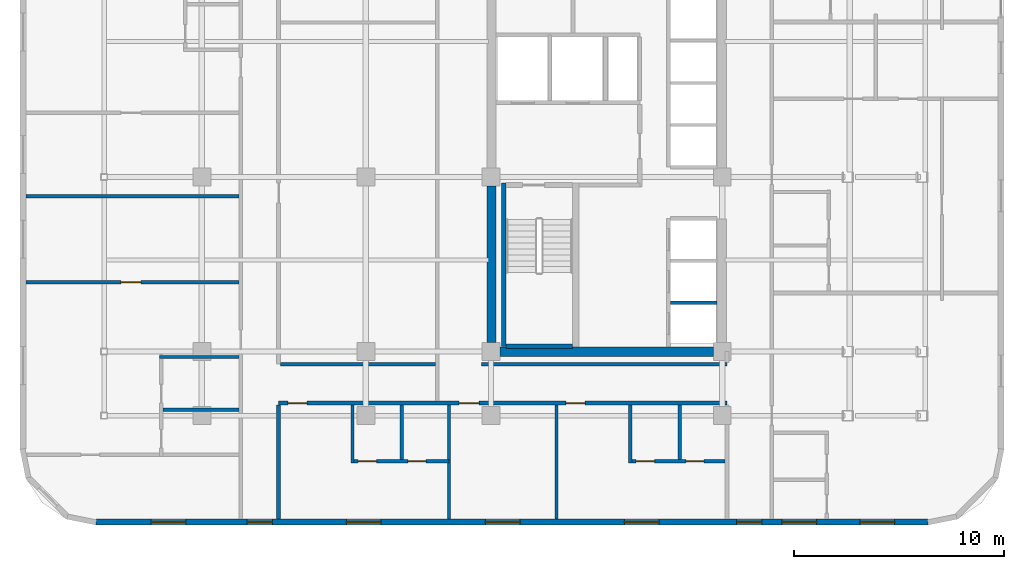
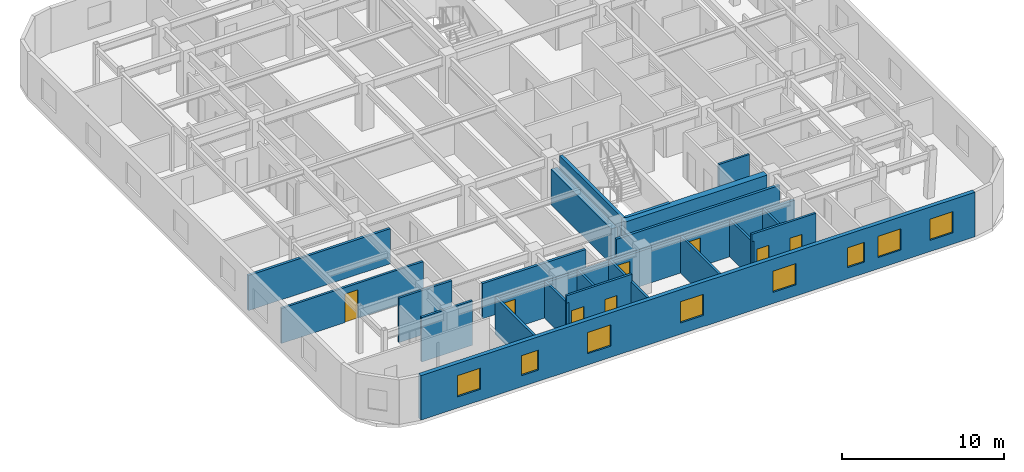
# One storey, part 7 of 13: 22 walls, 8 doors, 8 windows, 16 openings.
"""IFC4 building model written with IfcOpenShell, lengths in metres."""

from ifc_helpers import new_model, si_unit, direction, frame, frame_2d, origin, place, context, subcontext, project, spatial, rectangle, extrude, material, layer, layer_set, type_object, element, fill, save


model = new_model("IFC4")

# Units and contexts
model_context = context("Model", 3, precision=1e-05, world=origin(), true_north=direction((0.0, 1.0)))
body_context = subcontext(model_context, "Body", "Model", "MODEL_VIEW")
ifc_project = project(units=[si_unit("LENGTHUNIT", "METRE"), si_unit("AREAUNIT", "SQUARE_METRE"), si_unit("VOLUMEUNIT", "CUBIC_METRE"), si_unit("PLANEANGLEUNIT", "RADIAN"), si_unit("MASSUNIT", "GRAM", prefix="KILO")], contexts=[model_context])

# Site, building, storey
site_placement = place(None, origin())
site = spatial("IfcSite", under=ifc_project, at=site_placement, CompositionType="ELEMENT")
building_placement = place(site_placement, origin())
building = spatial("IfcBuilding", under=site, at=building_placement, Name="Ochreholt Gables", CompositionType="ELEMENT")
storey_placement = place(building_placement, frame((0.0, 0.0, 34.800048828125)))
storey = spatial("IfcBuildingStorey", under=building, at=storey_placement, Name="L08", CompositionType="ELEMENT", Elevation=34.800048828125)

# Walls
ifc_material_1 = material(Name="Concrete 60 MPa", Category="concrete")
ifc_layer_1 = layer(ifc_material_1, 0.449951171875, Name="Concrete 60 MPa")
ifc_layer_set_1 = layer_set([ifc_layer_1], Name="Concrete 60 MPa")
wall_type_1 = type_object("IfcWallType", Name="WALL-CSW-450", PredefinedType="SHEAR", material=ifc_layer_set_1)
wall_1_placement = place(storey_placement, frame((24.22509765625, 9.675048828125, 0.0), z_axis=(0.0, 0.0, 1.0), x_axis=(0.0, 1.0, 0.0)))
element("IfcWall", 1, at=wall_1_placement, inside=storey, type_object=wall_type_1, Name="L08 Core West Shear Wall WS", PredefinedType="SHEAR", context=body_context, shape_type="SweptSolid", body=[
    extrude(rectangle(XDim=7.449951171875, YDim=0.449951171875, at=frame_2d((3.72509765625, 0.0))), origin(), (0.0, 0.0, 1.0), 2.6669921875),
])
wall_2_placement = place(storey_placement, frame((24.625, 9.25, 0.0), z_axis=(0.0, 0.0, 1.0), x_axis=(1.0, 0.0, 0.0)))
element("IfcWall", 2, at=wall_2_placement, inside=storey, type_object=wall_type_1, Name="L08 Core South Shear Wall", PredefinedType="SHEAR", context=body_context, shape_type="SweptSolid", body=[
    extrude(rectangle(XDim=10.14990234375, YDim=0.449951171875, at=frame_2d((5.074951171875, 0.0))), origin(), (0.0, 0.0, 1.0), 3.35986328125),
])

# Wall, openings, windows
ifc_material_2 = material(Name="Precast concrete 40 MPa", Category="concrete")
ifc_layer_2 = layer(ifc_material_2, 0.2900390625, Name="Precast concrete 40 MPa")
ifc_layer_set_2 = layer_set([ifc_layer_2], Name="Precast concrete 40 MPa")
wall_type_2 = type_object("IfcWallType", Name="WALL-EXT-290", PredefinedType="SOLIDWALL", material=ifc_layer_set_2)
wall_3_placement = place(storey_placement, frame((5.419921875, 1.14501953125, 0.0), z_axis=(0.0, 0.0, 1.0), x_axis=(1.0, 0.0, 0.0)))
wall_3 = element("IfcWall", 3, at=wall_3_placement, inside=storey, type_object=wall_type_2, Name="L08 South Exterior Wall", PredefinedType="SOLIDWALL", context=body_context, shape_type="SweptSolid", body=[
    extrude(rectangle(XDim=39.56005859375, YDim=0.2900390625, at=frame_2d((19.780029296875, 0.0))), origin(), (0.0, 0.0, 1.0), 3.35986328125),
])
opening_1_placement = place(wall_3_placement, frame((2.614990234375, 0.0, 0.85009765625)))
opening_1 = element("IfcOpeningElement", 4, at=opening_1_placement, cuts=wall_3, Name="Opening WN-7", PredefinedType="OPENING", context=body_context, shape_type="SweptSolid", body=[
    extrude(rectangle(XDim=1.64990234375, YDim=1.60009765625, at=frame_2d((0.824951171875, 0.800048828125))), frame((0.0, 0.155029296875, 0.0), z_axis=(0.0, -1.0, 0.0), x_axis=(1.0, 0.0, 0.0)), (0.0, 0.0, 1.0), 0.31005859375),
])
opening_2_placement = place(wall_3_placement, frame((7.179931640625, 0.0, 0.85009765625)))
opening_2 = element("IfcOpeningElement", 5, at=opening_2_placement, cuts=wall_3, Name="Opening WN-3", PredefinedType="OPENING", context=body_context, shape_type="SweptSolid", body=[
    extrude(rectangle(XDim=1.199951171875, YDim=1.5, at=frame_2d((0.60009765625, 0.75))), frame((0.0, 0.155029296875, 0.0), z_axis=(0.0, -1.0, 0.0), x_axis=(1.0, 0.0, 0.0)), (0.0, 0.0, 1.0), 0.31005859375),
])
opening_3_placement = place(wall_3_placement, frame((11.90576171875, 0.0, 0.85009765625)))
opening_3 = element("IfcOpeningElement", 6, at=opening_3_placement, cuts=wall_3, Name="Opening WN-7", PredefinedType="OPENING", context=body_context, shape_type="SweptSolid", body=[
    extrude(rectangle(XDim=1.64990234375, YDim=1.60009765625, at=frame_2d((0.824951171875, 0.800048828125))), frame((0.0, 0.155029296875, 0.0), z_axis=(0.0, -1.0, 0.0), x_axis=(1.0, 0.0, 0.0)), (0.0, 0.0, 1.0), 0.31005859375),
])
opening_4_placement = place(wall_3_placement, frame((18.514892578125, 0.0, 0.85009765625)))
opening_4 = element("IfcOpeningElement", 7, at=opening_4_placement, cuts=wall_3, Name="Opening WN-7", PredefinedType="OPENING", context=body_context, shape_type="SweptSolid", body=[
    extrude(rectangle(XDim=1.64990234375, YDim=1.60009765625, at=frame_2d((0.824951171875, 0.800048828125))), frame((0.0, 0.155029296875, 0.0), z_axis=(0.0, -1.0, 0.0), x_axis=(1.0, 0.0, 0.0)), (0.0, 0.0, 1.0), 0.31005859375),
])
opening_5_placement = place(wall_3_placement, frame((25.124267578125, 0.0, 0.85009765625)))
opening_5 = element("IfcOpeningElement", 8, at=opening_5_placement, cuts=wall_3, Name="Opening WN-7", PredefinedType="OPENING", context=body_context, shape_type="SweptSolid", body=[
    extrude(rectangle(XDim=1.64990234375, YDim=1.60009765625, at=frame_2d((0.824951171875, 0.800048828125))), frame((0.0, 0.155029296875, 0.0), z_axis=(0.0, -1.0, 0.0), x_axis=(1.0, 0.0, 0.0)), (0.0, 0.0, 1.0), 0.31005859375),
])
opening_6_placement = place(wall_3_placement, frame((30.465087890625, 0.0, 0.85009765625)))
opening_6 = element("IfcOpeningElement", 9, at=opening_6_placement, cuts=wall_3, Name="Opening WN-3", PredefinedType="OPENING", context=body_context, shape_type="SweptSolid", body=[
    extrude(rectangle(XDim=1.199951171875, YDim=1.5, at=frame_2d((0.60009765625, 0.75))), frame((0.0, 0.155029296875, 0.0), z_axis=(0.0, -1.0, 0.0), x_axis=(1.0, 0.0, 0.0)), (0.0, 0.0, 1.0), 0.31005859375),
])
opening_7_placement = place(wall_3_placement, frame((32.613037109375, 0.0, 0.85009765625)))
opening_7 = element("IfcOpeningElement", 10, at=opening_7_placement, cuts=wall_3, Name="Opening WN-7", PredefinedType="OPENING", context=body_context, shape_type="SweptSolid", body=[
    extrude(rectangle(XDim=1.64990234375, YDim=1.60009765625, at=frame_2d((0.824951171875, 0.800048828125))), frame((0.0, 0.155029296875, 0.0), z_axis=(0.0, -1.0, 0.0), x_axis=(1.0, 0.0, 0.0)), (0.0, 0.0, 1.0), 0.31005859375),
])
opening_8_placement = place(wall_3_placement, frame((36.327880859375, 0.0, 0.85009765625)))
opening_8 = element("IfcOpeningElement", 11, at=opening_8_placement, cuts=wall_3, Name="Opening WN-7", PredefinedType="OPENING", context=body_context, shape_type="SweptSolid", body=[
    extrude(rectangle(XDim=1.64990234375, YDim=1.60009765625, at=frame_2d((0.824951171875, 0.800048828125))), frame((0.0, 0.155029296875, 0.0), z_axis=(0.0, -1.0, 0.0), x_axis=(1.0, 0.0, 0.0)), (0.0, 0.0, 1.0), 0.31005859375),
])
ifc_material_3 = material(Name="Triple-Glazed Thermally Broken Aluminium Window", Category="aluminium")
window_type_1 = type_object("IfcWindowType", Name="WIN-RES-1200", PartitioningType="SINGLE_PANEL", PredefinedType="WINDOW", material=ifc_material_3)
window_1_placement = place(opening_2_placement, origin())
window_1 = element("IfcWindow", 12, at=window_1_placement, inside=storey, type_object=window_type_1, Name="L08 Window W-EXT-S-L08-2", OverallHeight=1.5, OverallWidth=1.199951171875, PartitioningType="SINGLE_PANEL", PredefinedType="WINDOW", context=body_context, shape_type="SweptSolid", body=[
    extrude(rectangle(XDim=1.199951171875, YDim=1.5, at=frame_2d((0.60009765625, 0.75))), frame((0.0, 0.030029296875, 0.0), z_axis=(0.0, -1.0, 0.0), x_axis=(1.0, 0.0, 0.0)), (0.0, 0.0, 1.0), 0.06005859375),
])
fill(opening_2, window_1)
window_2_placement = place(opening_6_placement, origin())
window_2 = element("IfcWindow", 13, at=window_2_placement, inside=storey, type_object=window_type_1, Name="L08 Window W-EXT-S-L08-6", OverallHeight=1.5, OverallWidth=1.199951171875, PartitioningType="SINGLE_PANEL", PredefinedType="WINDOW", context=body_context, shape_type="SweptSolid", body=[
    extrude(rectangle(XDim=1.199951171875, YDim=1.5, at=frame_2d((0.60009765625, 0.75))), frame((0.0, 0.030029296875, 0.0), z_axis=(0.0, -1.0, 0.0), x_axis=(1.0, 0.0, 0.0)), (0.0, 0.0, 1.0), 0.06005859375),
])
fill(opening_6, window_2)
window_type_2 = type_object("IfcWindowType", Name="WIN-RES-1650", PartitioningType="SINGLE_PANEL", PredefinedType="WINDOW", material=ifc_material_3)
window_3_placement = place(opening_1_placement, origin())
window_3 = element("IfcWindow", 14, at=window_3_placement, inside=storey, type_object=window_type_2, Name="L08 Window W-EXT-S-L08-1", OverallHeight=1.60009765625, OverallWidth=1.64990234375, PartitioningType="SINGLE_PANEL", PredefinedType="WINDOW", context=body_context, shape_type="SweptSolid", body=[
    extrude(rectangle(XDim=1.64990234375, YDim=1.60009765625, at=frame_2d((0.824951171875, 0.800048828125))), frame((0.0, 0.030029296875, 0.0), z_axis=(0.0, -1.0, 0.0), x_axis=(1.0, 0.0, 0.0)), (0.0, 0.0, 1.0), 0.06005859375),
])
fill(opening_1, window_3)
window_4_placement = place(opening_3_placement, origin())
window_4 = element("IfcWindow", 15, at=window_4_placement, inside=storey, type_object=window_type_2, Name="L08 Window W-EXT-S-L08-3", OverallHeight=1.60009765625, OverallWidth=1.64990234375, PartitioningType="SINGLE_PANEL", PredefinedType="WINDOW", context=body_context, shape_type="SweptSolid", body=[
    extrude(rectangle(XDim=1.64990234375, YDim=1.60009765625, at=frame_2d((0.824951171875, 0.800048828125))), frame((0.0, 0.030029296875, 0.0), z_axis=(0.0, -1.0, 0.0), x_axis=(1.0, 0.0, 0.0)), (0.0, 0.0, 1.0), 0.06005859375),
])
fill(opening_3, window_4)
window_5_placement = place(opening_4_placement, origin())
window_5 = element("IfcWindow", 16, at=window_5_placement, inside=storey, type_object=window_type_2, Name="L08 Window W-EXT-S-L08-4", OverallHeight=1.60009765625, OverallWidth=1.64990234375, PartitioningType="SINGLE_PANEL", PredefinedType="WINDOW", context=body_context, shape_type="SweptSolid", body=[
    extrude(rectangle(XDim=1.64990234375, YDim=1.60009765625, at=frame_2d((0.824951171875, 0.800048828125))), frame((0.0, 0.030029296875, 0.0), z_axis=(0.0, -1.0, 0.0), x_axis=(1.0, 0.0, 0.0)), (0.0, 0.0, 1.0), 0.06005859375),
])
fill(opening_4, window_5)
window_6_placement = place(opening_5_placement, origin())
window_6 = element("IfcWindow", 17, at=window_6_placement, inside=storey, type_object=window_type_2, Name="L08 Window W-EXT-S-L08-5", OverallHeight=1.60009765625, OverallWidth=1.64990234375, PartitioningType="SINGLE_PANEL", PredefinedType="WINDOW", context=body_context, shape_type="SweptSolid", body=[
    extrude(rectangle(XDim=1.64990234375, YDim=1.60009765625, at=frame_2d((0.824951171875, 0.800048828125))), frame((0.0, 0.030029296875, 0.0), z_axis=(0.0, -1.0, 0.0), x_axis=(1.0, 0.0, 0.0)), (0.0, 0.0, 1.0), 0.06005859375),
])
fill(opening_5, window_6)
window_7_placement = place(opening_7_placement, origin())
window_7 = element("IfcWindow", 18, at=window_7_placement, inside=storey, type_object=window_type_2, Name="L08 Window W-EXT-S-L08-7", OverallHeight=1.60009765625, OverallWidth=1.64990234375, PartitioningType="SINGLE_PANEL", PredefinedType="WINDOW", context=body_context, shape_type="SweptSolid", body=[
    extrude(rectangle(XDim=1.64990234375, YDim=1.60009765625, at=frame_2d((0.824951171875, 0.800048828125))), frame((0.0, 0.030029296875, 0.0), z_axis=(0.0, -1.0, 0.0), x_axis=(1.0, 0.0, 0.0)), (0.0, 0.0, 1.0), 0.06005859375),
])
fill(opening_7, window_7)
window_8_placement = place(opening_8_placement, origin())
window_8 = element("IfcWindow", 19, at=window_8_placement, inside=storey, type_object=window_type_2, Name="L08 Window W-EXT-S-L08-8", OverallHeight=1.60009765625, OverallWidth=1.64990234375, PartitioningType="SINGLE_PANEL", PredefinedType="WINDOW", context=body_context, shape_type="SweptSolid", body=[
    extrude(rectangle(XDim=1.64990234375, YDim=1.60009765625, at=frame_2d((0.824951171875, 0.800048828125))), frame((0.0, 0.030029296875, 0.0), z_axis=(0.0, -1.0, 0.0), x_axis=(1.0, 0.0, 0.0)), (0.0, 0.0, 1.0), 0.06005859375),
])
fill(opening_8, window_8)

# Wall, openings, doors
ifc_material_4 = material(Name="Fire-Rated Gypsum Acoustic Partition", Category="gypsum")
ifc_layer_3 = layer(ifc_material_4, 0.179931640625, Name="Fire-Rated Gypsum Acoustic Partition")
ifc_layer_set_3 = layer_set([ifc_layer_3], Name="Fire-Rated Gypsum Acoustic Partition")
wall_type_3 = type_object("IfcWallType", Name="WALL-INT-CR180", PredefinedType="STANDARD", material=ifc_layer_set_3)
wall_4_placement = place(storey_placement, frame((14.10009765625, 6.800048828125, 0.0), z_axis=(0.0, 0.0, 1.0), x_axis=(1.0, 0.0, 0.0)))
wall_4 = element("IfcWall", 20, at=wall_4_placement, inside=storey, type_object=wall_type_3, Name="L08 Interior Wall WI-C1S-L08", PredefinedType="STANDARD", context=body_context, shape_type="SweptSolid", body=[
    extrude(rectangle(XDim=21.31982421875, YDim=0.179931640625, at=frame_2d((10.659912109375, 0.0))), origin(), (0.0, 0.0, 1.0), 2.64892578125),
])
opening_9_placement = place(wall_4_placement, frame((0.43994140625, 0.0, 0.0)))
opening_9 = element("IfcOpeningElement", 21, at=opening_9_placement, cuts=wall_4, Name="Opening D-UN1", PredefinedType="OPENING", context=body_context, shape_type="SweptSolid", body=[
    extrude(rectangle(XDim=0.919921875, YDim=2.14990234375, at=frame_2d((0.4599609375, 1.074951171875))), frame((0.0, 0.099853515625, 0.0), z_axis=(0.0, -1.0, 0.0), x_axis=(1.0, 0.0, 0.0)), (0.0, 0.0, 1.0), 0.199951171875),
])
opening_10_placement = place(wall_4_placement, frame((8.58154296875, 0.0, 0.0)))
opening_10 = element("IfcOpeningElement", 22, at=opening_10_placement, cuts=wall_4, Name="Opening D-GN1", PredefinedType="OPENING", context=body_context, shape_type="SweptSolid", body=[
    extrude(rectangle(XDim=0.949951171875, YDim=2.14990234375, at=frame_2d((0.47509765625, 1.074951171875))), frame((0.0, 0.099853515625, 0.0), z_axis=(0.0, -1.0, 0.0), x_axis=(1.0, 0.0, 0.0)), (0.0, 0.0, 1.0), 0.199951171875),
])
opening_11_placement = place(wall_4_placement, frame((13.658447265625, 0.0, 0.0)))
opening_11 = element("IfcOpeningElement", 23, at=opening_11_placement, cuts=wall_4, Name="Opening D-UN1", PredefinedType="OPENING", context=body_context, shape_type="SweptSolid", body=[
    extrude(rectangle(XDim=0.919921875, YDim=2.14990234375, at=frame_2d((0.4599609375, 1.074951171875))), frame((0.0, 0.099853515625, 0.0), z_axis=(0.0, -1.0, 0.0), x_axis=(1.0, 0.0, 0.0)), (0.0, 0.0, 1.0), 0.199951171875),
])
ifc_material_5 = material(Name="Engineered Oak Timber", Category="wood")
door_type_1 = type_object("IfcDoorType", Name="DR-INT-GEN950", OperationType="NOTDEFINED", PredefinedType="DOOR", material=ifc_material_5)
door_1_placement = place(opening_10_placement, origin())
door_1 = element("IfcDoor", 24, at=door_1_placement, inside=storey, type_object=door_type_1, Name="L08 Door D-C1S3-L08", OperationType="SINGLE_SWING_LEFT", OverallHeight=2.14990234375, OverallWidth=0.949951171875, PredefinedType="DOOR", context=body_context, shape_type="SweptSolid", body=[
    extrude(rectangle(XDim=0.949951171875, YDim=2.14990234375, at=frame_2d((0.47509765625, 1.074951171875))), frame((0.0, 0.02490234375, 0.0), z_axis=(0.0, -1.0, 0.0), x_axis=(1.0, 0.0, 0.0)), (0.0, 0.0, 1.0), 0.050048828125),
])
fill(opening_10, door_1)
door_type_2 = type_object("IfcDoorType", Name="DR-INT-UNT920", OperationType="NOTDEFINED", PredefinedType="DOOR", material=ifc_material_5)
door_2_placement = place(opening_9_placement, origin())
door_2 = element("IfcDoor", 25, at=door_2_placement, inside=storey, type_object=door_type_2, Name="L08 Door D-U-L08S1-ENT", OperationType="SINGLE_SWING_RIGHT", OverallHeight=2.14990234375, OverallWidth=0.919921875, PredefinedType="DOOR", context=body_context, shape_type="SweptSolid", body=[
    extrude(rectangle(XDim=0.919921875, YDim=2.14990234375, at=frame_2d((0.4599609375, 1.074951171875))), frame((0.0, 0.02490234375, 0.0), z_axis=(0.0, -1.0, 0.0), x_axis=(1.0, 0.0, 0.0)), (0.0, 0.0, 1.0), 0.050048828125),
])
fill(opening_9, door_2)
door_3_placement = place(opening_11_placement, origin())
door_3 = element("IfcDoor", 26, at=door_3_placement, inside=storey, type_object=door_type_2, Name="L08 Door D-U-L08S3-ENT", OperationType="SINGLE_SWING_RIGHT", OverallHeight=2.14990234375, OverallWidth=0.919921875, PredefinedType="DOOR", context=body_context, shape_type="SweptSolid", body=[
    extrude(rectangle(XDim=0.919921875, YDim=2.14990234375, at=frame_2d((0.4599609375, 1.074951171875))), frame((0.0, 0.02490234375, 0.0), z_axis=(0.0, -1.0, 0.0), x_axis=(1.0, 0.0, 0.0)), (0.0, 0.0, 1.0), 0.050048828125),
])
fill(opening_11, door_3)

# Walls
wall_5_placement = place(storey_placement, frame((23.75, 8.64990234375, 0.0), z_axis=(0.0, 0.0, 1.0), x_axis=(1.0, 0.0, 0.0)))
element("IfcWall", 27, at=wall_5_placement, inside=storey, type_object=wall_type_3, Name="L08 Interior Wall WI-C1S2-L08", PredefinedType="STANDARD", context=body_context, shape_type="SweptSolid", body=[
    extrude(rectangle(XDim=11.669921875, YDim=0.179931640625, at=frame_2d((5.8349609375, 0.0))), origin(), (0.0, 0.0, 1.0), 2.64892578125),
])
wall_6_placement = place(storey_placement, frame((14.18994140625, 8.64990234375, 0.0), z_axis=(0.0, 0.0, 1.0), x_axis=(1.0, 0.0, 0.0)))
element("IfcWall", 28, at=wall_6_placement, inside=storey, type_object=wall_type_3, Name="L08 Interior Wall WI-C1S2W-L08", PredefinedType="STANDARD", context=body_context, shape_type="SweptSolid", body=[
    extrude(rectangle(XDim=7.3701171875, YDim=0.179931640625, at=frame_2d((3.68505859375, 0.0))), origin(), (0.0, 0.0, 1.0), 2.64892578125),
])
ifc_material_6 = material(Name="Double-Stud Acoustic Demising Wall", Category="gypsum")
ifc_layer_4 = layer(ifc_material_6, 0.179931640625, Name="Double-Stud Acoustic Demising Wall")
ifc_layer_set_4 = layer_set([ifc_layer_4], Name="Double-Stud Acoustic Demising Wall")
wall_type_4 = type_object("IfcWallType", Name="WALL-INT-DM180", PredefinedType="PARTITIONING", material=ifc_layer_set_4)
wall_7_placement = place(storey_placement, frame((14.10009765625, 1.2900390625, 0.0), z_axis=(0.0, 0.0, 1.0), x_axis=(0.0, 1.0, 0.0)))
element("IfcWall", 29, at=wall_7_placement, inside=storey, type_object=wall_type_4, Name="L08 Interior Wall WI-C1WSI-L08", PredefinedType="PARTITIONING", context=body_context, shape_type="SweptSolid", body=[
    extrude(rectangle(XDim=5.419921875, YDim=0.179931640625, at=frame_2d((2.7099609375, 0.0))), origin(), (0.0, 0.0, 1.0), 2.808837890625),
])
wall_8_placement = place(storey_placement, frame((2.090087890625, 16.639892578125, 0.0), z_axis=(0.0, 0.0, 1.0), x_axis=(1.0, 0.0, 0.0)))
element("IfcWall", 30, at=wall_8_placement, inside=storey, type_object=wall_type_4, Name="L08 Interior Wall WI-UDW2-L08", PredefinedType="PARTITIONING", context=body_context, shape_type="SweptSolid", body=[
    extrude(rectangle(XDim=10.119873046875, YDim=0.179931640625, at=frame_2d((5.06005859375, 0.0))), origin(), (0.0, 0.0, 1.0), 2.64892578125),
])
ifc_material_7 = material(Name="Moisture-Resistant Plumbing Chase Wall", Category="gypsum")
ifc_layer_5 = layer(ifc_material_7, 0.159912109375, Name="Moisture-Resistant Plumbing Chase Wall")
ifc_layer_set_5 = layer_set([ifc_layer_5], Name="Moisture-Resistant Plumbing Chase Wall")
wall_type_5 = type_object("IfcWallType", Name="WALL-INT-PL160", PredefinedType="PLUMBINGWALL", material=ifc_layer_set_5)
wall_9_placement = place(storey_placement, frame((8.429931640625, 8.989990234375, 0.0), z_axis=(0.0, 0.0, 1.0), x_axis=(1.0, 0.0, 0.0)))
element("IfcWall", 31, at=wall_9_placement, inside=storey, type_object=wall_type_5, Name="L08 Interior Wall WU-L08W1-FYN", PredefinedType="PLUMBINGWALL", context=body_context, shape_type="SweptSolid", body=[
    extrude(rectangle(XDim=3.780029296875, YDim=0.159912109375, at=frame_2d((1.89013671875, 0.0))), origin(), (0.0, 0.0, 1.0), 3.35986328125),
])
wall_10_placement = place(storey_placement, frame((8.590087890625, 6.47900390625, 0.0), z_axis=(0.0, 0.0, 1.0), x_axis=(1.0, 0.0, 0.0)))
element("IfcWall", 32, at=wall_10_placement, inside=storey, type_object=wall_type_5, Name="L08 Interior Wall WU-L08W1-WK", PredefinedType="PLUMBINGWALL", context=body_context, shape_type="SweptSolid", body=[
    extrude(rectangle(XDim=3.619873046875, YDim=0.159912109375, at=frame_2d((1.81005859375, 0.0))), origin(), (0.0, 0.0, 1.0), 3.35986328125),
])

# Wall, openings, doors
wall_11_placement = place(storey_placement, frame((17.531494140625, 4.030029296875, 0.0), z_axis=(0.0, 0.0, 1.0), x_axis=(1.0, 0.0, 0.0)))
wall_11 = element("IfcWall", 33, at=wall_11_placement, inside=storey, type_object=wall_type_5, Name="L08 Interior Wall WU-L08S1-WY", PredefinedType="PLUMBINGWALL", context=body_context, shape_type="SweptSolid", body=[
    extrude(rectangle(XDim=4.670166015625, YDim=0.159912109375, at=frame_2d((2.3349609375, 0.0))), origin(), (0.0, 0.0, 1.0), 3.35986328125),
])
opening_12_placement = place(wall_11_placement, frame((0.35009765625, 0.0, 0.0)))
opening_12 = element("IfcOpeningElement", 34, at=opening_12_placement, cuts=wall_11, Name="Opening D-GN2", PredefinedType="OPENING", context=body_context, shape_type="SweptSolid", body=[
    extrude(rectangle(XDim=0.8798828125, YDim=2.1201171875, at=frame_2d((0.43994140625, 1.06005859375))), frame((0.0, 0.08984375, 0.0), z_axis=(0.0, -1.0, 0.0), x_axis=(1.0, 0.0, 0.0)), (0.0, 0.0, 1.0), 0.179931640625),
])
opening_13_placement = place(wall_11_placement, frame((2.719970703125, 0.0, 0.0)))
opening_13 = element("IfcOpeningElement", 35, at=opening_13_placement, cuts=wall_11, Name="Opening D-BT1", PredefinedType="OPENING", context=body_context, shape_type="SweptSolid", body=[
    extrude(rectangle(XDim=0.860107421875, YDim=2.1201171875, at=frame_2d((0.43017578125, 1.06005859375))), frame((0.0, 0.08984375, 0.0), z_axis=(0.0, -1.0, 0.0), x_axis=(1.0, 0.0, 0.0)), (0.0, 0.0, 1.0), 0.179931640625),
])
door_type_3 = type_object("IfcDoorType", Name="DR-INT-BTH860", OperationType="NOTDEFINED", PredefinedType="DOOR", material=ifc_material_5)
door_4_placement = place(opening_13_placement, origin())
door_4 = element("IfcDoor", 36, at=door_4_placement, inside=storey, type_object=door_type_3, Name="L08 Door D-U-L08S1-BTH", OperationType="SINGLE_SWING_RIGHT", OverallHeight=2.1201171875, OverallWidth=0.860107421875, PredefinedType="DOOR", context=body_context, shape_type="SweptSolid", body=[
    extrude(rectangle(XDim=0.860107421875, YDim=2.1201171875, at=frame_2d((0.43017578125, 1.06005859375))), frame((0.0, 0.02490234375, 0.0), z_axis=(0.0, -1.0, 0.0), x_axis=(1.0, 0.0, 0.0)), (0.0, 0.0, 1.0), 0.050048828125),
])
fill(opening_13, door_4)
door_type_4 = type_object("IfcDoorType", Name="DR-INT-GEN880", OperationType="NOTDEFINED", PredefinedType="DOOR", material=ifc_material_5)
door_5_placement = place(opening_12_placement, origin())
door_5 = element("IfcDoor", 37, at=door_5_placement, inside=storey, type_object=door_type_4, Name="L08 Door D-U-L08S1-KIT", OperationType="SINGLE_SWING_LEFT", OverallHeight=2.1201171875, OverallWidth=0.8798828125, PredefinedType="DOOR", context=body_context, shape_type="SweptSolid", body=[
    extrude(rectangle(XDim=0.8798828125, YDim=2.1201171875, at=frame_2d((0.43994140625, 1.06005859375))), frame((0.0, 0.02490234375, 0.0), z_axis=(0.0, -1.0, 0.0), x_axis=(1.0, 0.0, 0.0)), (0.0, 0.0, 1.0), 0.050048828125),
])
fill(opening_12, door_5)

# Walls
wall_12_placement = place(storey_placement, frame((17.611572265625, 3.949951171875, 0.0), z_axis=(0.0, 0.0, 1.0), x_axis=(0.0, 1.0, 0.0)))
element("IfcWall", 38, at=wall_12_placement, inside=storey, type_object=wall_type_5, Name="L08 Interior Wall WU-L08S1-FY", PredefinedType="PLUMBINGWALL", context=body_context, shape_type="SweptSolid", body=[
    extrude(rectangle(XDim=2.760009765625, YDim=0.159912109375, at=frame_2d((1.3798828125, 0.0))), origin(), (0.0, 0.0, 1.0), 2.808837890625),
])
wall_13_placement = place(storey_placement, frame((19.95166015625, 4.110107421875, 0.0), z_axis=(0.0, 0.0, 1.0), x_axis=(0.0, 1.0, 0.0)))
element("IfcWall", 39, at=wall_13_placement, inside=storey, type_object=wall_type_5, Name="L08 Interior Wall WU-L08S1-WK", PredefinedType="PLUMBINGWALL", context=body_context, shape_type="SweptSolid", body=[
    extrude(rectangle(XDim=2.599853515625, YDim=0.159912109375, at=frame_2d((1.2998046875, 0.0))), origin(), (0.0, 0.0, 1.0), 2.808837890625),
])

# Wall, openings, doors
wall_14_placement = place(storey_placement, frame((30.75, 4.030029296875, 0.0), z_axis=(0.0, 0.0, 1.0), x_axis=(1.0, 0.0, 0.0)))
wall_14 = element("IfcWall", 40, at=wall_14_placement, inside=storey, type_object=wall_type_5, Name="L08 Interior Wall WU-L08S3-WY", PredefinedType="PLUMBINGWALL", context=body_context, shape_type="SweptSolid", body=[
    extrude(rectangle(XDim=4.580078125, YDim=0.159912109375, at=frame_2d((2.2900390625, 0.0))), origin(), (0.0, 0.0, 1.0), 3.35986328125),
])
opening_14_placement = place(wall_14_placement, frame((0.35009765625, 0.0, 0.0)))
opening_14 = element("IfcOpeningElement", 41, at=opening_14_placement, cuts=wall_14, Name="Opening D-GN2", PredefinedType="OPENING", context=body_context, shape_type="SweptSolid", body=[
    extrude(rectangle(XDim=0.8798828125, YDim=2.1201171875, at=frame_2d((0.43994140625, 1.06005859375))), frame((0.0, 0.08984375, 0.0), z_axis=(0.0, -1.0, 0.0), x_axis=(1.0, 0.0, 0.0)), (0.0, 0.0, 1.0), 0.179931640625),
])
opening_15_placement = place(wall_14_placement, frame((2.719970703125, 0.0, 0.0)))
opening_15 = element("IfcOpeningElement", 42, at=opening_15_placement, cuts=wall_14, Name="Opening D-BT1", PredefinedType="OPENING", context=body_context, shape_type="SweptSolid", body=[
    extrude(rectangle(XDim=0.860107421875, YDim=2.1201171875, at=frame_2d((0.43017578125, 1.06005859375))), frame((0.0, 0.08984375, 0.0), z_axis=(0.0, -1.0, 0.0), x_axis=(1.0, 0.0, 0.0)), (0.0, 0.0, 1.0), 0.179931640625),
])
door_6_placement = place(opening_15_placement, origin())
door_6 = element("IfcDoor", 43, at=door_6_placement, inside=storey, type_object=door_type_3, Name="L08 Door D-U-L08S3-BTH", OperationType="SINGLE_SWING_RIGHT", OverallHeight=2.1201171875, OverallWidth=0.860107421875, PredefinedType="DOOR", context=body_context, shape_type="SweptSolid", body=[
    extrude(rectangle(XDim=0.860107421875, YDim=2.1201171875, at=frame_2d((0.43017578125, 1.06005859375))), frame((0.0, 0.02490234375, 0.0), z_axis=(0.0, -1.0, 0.0), x_axis=(1.0, 0.0, 0.0)), (0.0, 0.0, 1.0), 0.050048828125),
])
fill(opening_15, door_6)
door_7_placement = place(opening_14_placement, origin())
door_7 = element("IfcDoor", 44, at=door_7_placement, inside=storey, type_object=door_type_4, Name="L08 Door D-U-L08S3-KIT", OperationType="SINGLE_SWING_LEFT", OverallHeight=2.1201171875, OverallWidth=0.8798828125, PredefinedType="DOOR", context=body_context, shape_type="SweptSolid", body=[
    extrude(rectangle(XDim=0.8798828125, YDim=2.1201171875, at=frame_2d((0.43994140625, 1.06005859375))), frame((0.0, 0.02490234375, 0.0), z_axis=(0.0, -1.0, 0.0), x_axis=(1.0, 0.0, 0.0)), (0.0, 0.0, 1.0), 0.050048828125),
])
fill(opening_14, door_7)

# Walls
wall_15_placement = place(storey_placement, frame((30.830078125, 3.949951171875, 0.0), z_axis=(0.0, 0.0, 1.0), x_axis=(0.0, 1.0, 0.0)))
element("IfcWall", 45, at=wall_15_placement, inside=storey, type_object=wall_type_5, Name="L08 Interior Wall WU-L08S3-FY", PredefinedType="PLUMBINGWALL", context=body_context, shape_type="SweptSolid", body=[
    extrude(rectangle(XDim=2.760009765625, YDim=0.159912109375, at=frame_2d((1.3798828125, 0.0))), origin(), (0.0, 0.0, 1.0), 2.808837890625),
])
wall_16_placement = place(storey_placement, frame((33.169921875, 4.110107421875, 0.0), z_axis=(0.0, 0.0, 1.0), x_axis=(0.0, 1.0, 0.0)))
element("IfcWall", 46, at=wall_16_placement, inside=storey, type_object=wall_type_5, Name="L08 Interior Wall WU-L08S3-WK", PredefinedType="PLUMBINGWALL", context=body_context, shape_type="SweptSolid", body=[
    extrude(rectangle(XDim=2.599853515625, YDim=0.159912109375, at=frame_2d((1.2998046875, 0.0))), origin(), (0.0, 0.0, 1.0), 2.808837890625),
])

# Wall, opening, door
ifc_material_8 = material(Name="Gypsum Acoustic Stud Partition", Category="gypsum")
ifc_layer_6 = layer(ifc_material_8, 0.159912109375, Name="Gypsum Acoustic Stud Partition")
ifc_layer_set_6 = layer_set([ifc_layer_6], Name="Gypsum Acoustic Stud Partition")
wall_type_6 = type_object("IfcWallType", Name="WALL-INT-PT160", PredefinedType="PARTITIONING", material=ifc_layer_set_6)
wall_17_placement = place(storey_placement, frame((2.090087890625, 12.53955078125, 0.0), z_axis=(0.0, 0.0, 1.0), x_axis=(1.0, 0.0, 0.0)))
wall_17 = element("IfcWall", 47, at=wall_17_placement, inside=storey, type_object=wall_type_6, Name="L08 Interior Wall WU-L08W1-DNW", PredefinedType="PARTITIONING", context=body_context, shape_type="SweptSolid", body=[
    extrude(rectangle(XDim=10.119873046875, YDim=0.159912109375, at=frame_2d((5.06005859375, 0.0))), origin(), (0.0, 0.0, 1.0), 2.64892578125),
])
opening_16_placement = place(wall_17_placement, frame((4.510009765625, 0.0, 0.0)))
opening_16 = element("IfcOpeningElement", 48, at=opening_16_placement, cuts=wall_17, Name="Opening D-GN1", PredefinedType="OPENING", context=body_context, shape_type="SweptSolid", body=[
    extrude(rectangle(XDim=0.949951171875, YDim=2.14990234375, at=frame_2d((0.47509765625, 1.074951171875))), frame((0.0, 0.08984375, 0.0), z_axis=(0.0, -1.0, 0.0), x_axis=(1.0, 0.0, 0.0)), (0.0, 0.0, 1.0), 0.179931640625),
])
door_8_placement = place(opening_16_placement, origin())
door_8 = element("IfcDoor", 49, at=door_8_placement, inside=storey, type_object=door_type_1, Name="L08 Door D-U-L08W1-DIN", OperationType="SINGLE_SWING_LEFT", OverallHeight=2.14990234375, OverallWidth=0.949951171875, PredefinedType="DOOR", context=body_context, shape_type="SweptSolid", body=[
    extrude(rectangle(XDim=0.949951171875, YDim=2.14990234375, at=frame_2d((0.47509765625, 1.074951171875))), frame((0.0, 0.02490234375, 0.0), z_axis=(0.0, -1.0, 0.0), x_axis=(1.0, 0.0, 0.0)), (0.0, 0.0, 1.0), 0.050048828125),
])
fill(opening_16, door_8)

# Walls
for number, where, z_axis, x_axis, name in (
    (50, (22.20166015625, 1.2900390625, 0.0), (0.0, 0.0, 1.0), (0.0, 1.0, 0.0), "L08 Interior Wall WI-UDS2-L08"),
    (51, (27.318359375, 1.2900390625, 0.0), (0.0, 0.0, 1.0), (0.0, 1.0, 0.0), "L08 Interior Wall WI-UDS3-L08"),
):
    element("IfcWall", number, at=place(storey_placement, frame(where, z_axis=z_axis, x_axis=x_axis)), inside=storey, type_object=wall_type_6, Name=name, PredefinedType="PARTITIONING", context=body_context, shape_type="SweptSolid", body=[
        extrude(rectangle(XDim=5.419921875, YDim=0.159912109375, at=frame_2d((2.7099609375, 0.0))), origin(), (0.0, 0.0, 1.0), 2.808837890625),
    ])
ifc_material_9 = material(Name="Gypsum Shaftliner and Steel Stud", Category="steel")
ifc_layer_7 = layer(ifc_material_9, 0.14990234375, Name="Gypsum Shaftliner and Steel Stud")
ifc_layer_set_7 = layer_set([ifc_layer_7], Name="Gypsum Shaftliner and Steel Stud")
wall_type_7 = type_object("IfcWallType", Name="WALL-INT-SH150", PredefinedType="STANDARD", material=ifc_layer_set_7)
wall_18_placement = place(storey_placement, frame((32.739990234375, 11.570068359375, 0.0), z_axis=(0.0, 0.0, 1.0), x_axis=(1.0, 0.0, 0.0)))
element("IfcWall", 52, at=wall_18_placement, inside=storey, type_object=wall_type_7, Name="L08 Interior Wall WI-LFL-D1-L08", PredefinedType="STANDARD", context=body_context, shape_type="SweptSolid", body=[
    extrude(rectangle(XDim=2.2099609375, YDim=0.14990234375, at=frame_2d((1.10498046875, 0.0))), origin(), (0.0, 0.0, 1.0), 3.35986328125),
])
ifc_material_10 = material(Name="Concrete 50 MPa", Category="concrete")
ifc_layer_8 = layer(ifc_material_10, 0.219970703125, Name="Concrete 50 MPa")
ifc_layer_set_8 = layer_set([ifc_layer_8], Name="Concrete 50 MPa")
wall_type_8 = type_object("IfcWallType", Name="WALL-STW-220", PredefinedType="SHEAR", material=ifc_layer_set_8)
wall_19_placement = place(storey_placement, frame((24.81005859375, 9.5, 0.0), z_axis=(0.0, 0.0, 1.0), x_axis=(0.0, 1.0, 0.0)))
element("IfcWall", 53, at=wall_19_placement, inside=storey, type_object=wall_type_8, Name="L08 Exit Stair 1 West Wall", PredefinedType="SHEAR", context=body_context, shape_type="SweptSolid", body=[
    extrude(rectangle(XDim=7.760009765625, YDim=0.219970703125, at=frame_2d((3.8798828125, 0.0))), origin(), (0.0, 0.0, 1.0), 3.35986328125),
])
wall_20_placement = place(storey_placement, frame((24.919921875, 9.510009765625, 0.0), z_axis=(0.0, 0.0, 1.0), x_axis=(1.0, 0.0, 0.0)))
element("IfcWall", 54, at=wall_20_placement, inside=storey, type_object=wall_type_8, Name="L08 Exit Stair 1 South Wall", PredefinedType="SHEAR", context=body_context, shape_type="SweptSolid", body=[
    extrude(rectangle(XDim=3.16015625, YDim=0.219970703125, at=frame_2d((1.580078125, 0.0))), origin(), (0.0, 0.0, 1.0), 3.35986328125),
])

save(model, "model.ifc")
